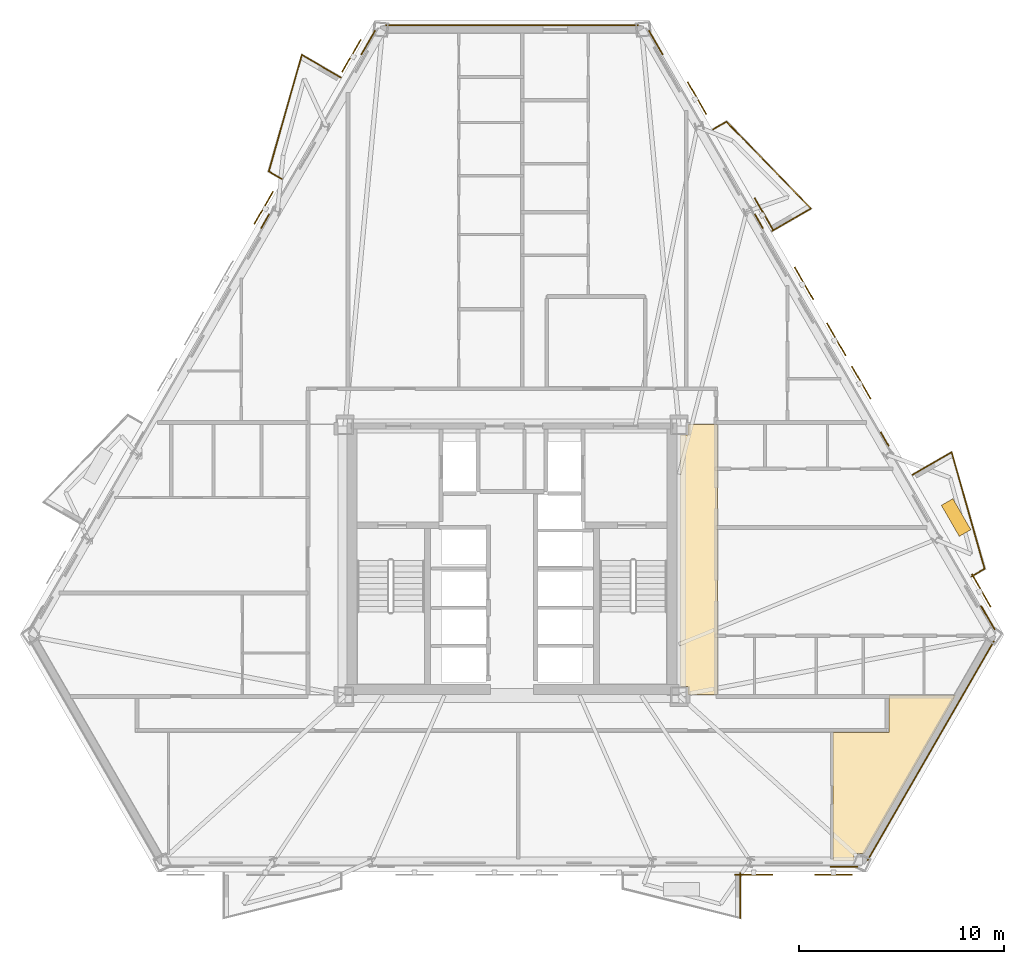
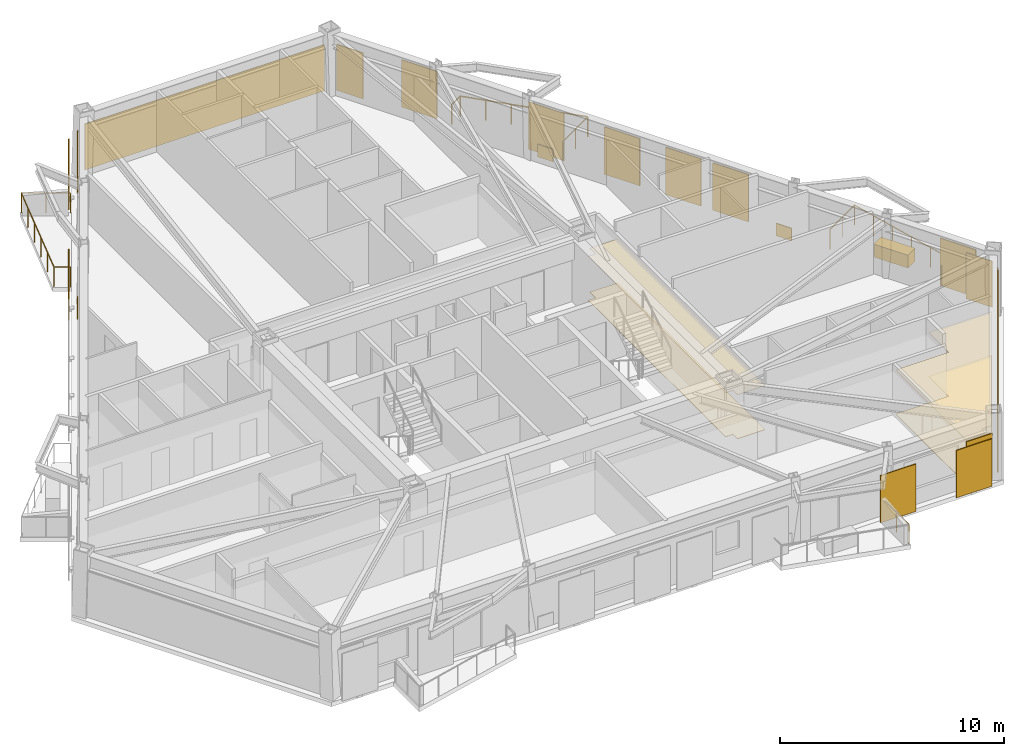
# One storey, part 11 of 11: 14 coverings, 10 railings, 10 shading devices.
"""IFC4 building model written with IfcOpenShell, lengths in metres."""

from ifc_helpers import new_model, si_unit, direction, frame, origin, origin_2d, place, context, subcontext, project, spatial, polyline, rectangle, circle, outline, extrude, material, layer, layer_set, type_object, element, save


model = new_model("IFC4")

# Units and contexts
model_context = context("Model", 3, precision=1e-05, world=origin(), true_north=direction((0.0, 1.0)))
body_context = subcontext(model_context, "Body", "Model", "MODEL_VIEW")
ifc_project = project(units=[si_unit("LENGTHUNIT", "METRE"), si_unit("AREAUNIT", "SQUARE_METRE"), si_unit("VOLUMEUNIT", "CUBIC_METRE"), si_unit("PLANEANGLEUNIT", "RADIAN"), si_unit("MASSUNIT", "GRAM", prefix="KILO")], contexts=[model_context])

# Site, building, storey
site_placement = place(None, origin())
site = spatial("IfcSite", under=ifc_project, at=site_placement, CompositionType="ELEMENT")
building_placement = place(site_placement, origin())
building = spatial("IfcBuilding", under=site, at=building_placement, Name="Oramaril Tower", CompositionType="ELEMENT")
storey_placement = place(building_placement, frame((0.0, 0.0, 82.5)))
storey = spatial("IfcBuildingStorey", under=building, at=storey_placement, Name="L21", CompositionType="ELEMENT", Elevation=82.5)

# Coverings
ifc_material_1 = material(Name="Mineral Fibre Acoustic Ceiling")
ifc_layer_1 = layer(ifc_material_1, 0.02001953125)
ifc_layer_set_1 = layer_set([ifc_layer_1], Name="CVT-CEIL")
covering_type_1 = type_object("IfcCoveringType", Name="CVT-CEIL", PredefinedType="CEILING", material=ifc_layer_set_1)
covering_1_placement = place(storey_placement, frame((0.0, 0.0, 2.39990234375)))
element("IfcCovering", 1, at=covering_1_placement, inside=storey, type_object=covering_type_1, Name="L21 Acoustic Suspended Ceiling 4", PredefinedType="CEILING", context=body_context, shape_type="SweptSolid", body=[
    extrude(outline(polyline([(47.530029296875, 11.050048828125), (46.094970703125, 11.050048828125), (46.094970703125, 11.445068359375), (45.719970703125, 11.445068359375), (45.719970703125, 23.705078125), (46.094970703125, 23.705078125), (46.094970703125, 24.219970703125), (47.530029296875, 24.219970703125), (47.530029296875, 11.050048828125)])), origin(), (0.0, 0.0, 1.0), 0.02001953125),
])
covering_2_placement = place(storey_placement, frame((0.0, 0.0, 2.39990234375)))
element("IfcCovering", 2, at=covering_2_placement, inside=storey, type_object=covering_type_1, Name="L21 Acoustic Suspended Ceiling 9", PredefinedType="CEILING", context=body_context, shape_type="SweptSolid", body=[
    extrude(outline(polyline([(59.136474609375, 10.991943359375), (54.69580078125, 3.30029296875), (54.18408203125, 3.30029296875), (54.18408203125, 2.947265625), (53.171875, 2.947265625), (53.171875, 9.199951171875), (55.8798828125, 9.199951171875), (55.882080078125, 9.2001953125), (55.8837890625, 9.200439453125), (55.8857421875, 9.200927734375), (55.8876953125, 9.201416015625), (55.889404296875, 9.202392578125), (55.89111328125, 9.203369140625), (55.892578125, 9.20458984375), (55.89404296875, 9.205810546875), (55.8955078125, 9.207275390625), (55.896484375, 9.208984375), (55.897705078125, 9.210693359375), (55.8984375, 9.21240234375), (55.899169921875, 9.214111328125), (55.899658203125, 9.216064453125), (55.89990234375, 9.218017578125), (55.89990234375, 9.219970703125), (55.89990234375, 10.991943359375), (59.136474609375, 10.991943359375)])), origin(), (0.0, 0.0, 1.0), 0.02001953125),
])
ifc_material_2 = material(Name="Warm Cream Limestone", Category="masonry")
ifc_layer_2 = layer(ifc_material_2, 0.050048828125)
ifc_layer_set_2 = layer_set([ifc_layer_2], Name="CVT-CLD")
covering_type_2 = type_object("IfcCoveringType", Name="CVT-CLD", PredefinedType="CLADDING", material=ifc_layer_set_2)
covering_3_placement = place(storey_placement, frame((53.7041015625, 2.646240234375, 0.0400390625), z_axis=(0.0, 0.0, 1.0), x_axis=(1.0, 0.0, 0.0)))
element("IfcCovering", 3, at=covering_3_placement, inside=storey, type_object=covering_type_2, Name="L21 Warm Cream Limestone Cladding", PredefinedType="CLADDING", context=body_context, shape_type="SweptSolid", body=[
    extrude(rectangle(XDim=1.35009765625, YDim=0.050048828125, at=origin_2d()), origin(), (0.0, 0.0, 1.0), 2.498046875),
])
covering_4_placement = place(storey_placement, frame((57.931884765625, 8.3037109375, 0.0400390625), z_axis=(0.0, 0.0, 1.0), x_axis=(0.499995465495, 0.866028021766, 0.0)))
element("IfcCovering", 4, at=covering_4_placement, inside=storey, type_object=covering_type_2, Name="L21 Warm Cream Limestone Cladding", PredefinedType="CLADDING", context=body_context, shape_type="SweptSolid", body=[
    extrude(rectangle(XDim=12.34228515625, YDim=0.050048828125, at=origin_2d()), origin(), (0.0, 0.0, 1.0), 2.498046875),
])
for number, where, z_axis, x_axis, name in (
    (5, (60.71728515625, 14.793701171875, 0.0400390625), (0.0, 0.0, 1.0), (-0.5, 0.866025403784, 0.0), "L21 Warm Cream Limestone Cladding"),
    (6, (44.51318359375, 42.860107421875, 0.0400390625), (0.0, 0.0, 1.0), (-0.5, 0.866025403784, 0.0), "L21 Warm Cream Limestone Cladding"),
):
    element("IfcCovering", number, at=place(storey_placement, frame(where, z_axis=z_axis, x_axis=x_axis)), inside=storey, type_object=covering_type_2, Name=name, PredefinedType="CLADDING", context=body_context, shape_type="SweptSolid", body=[
        extrude(rectangle(XDim=1.35009765625, YDim=0.050048828125, at=origin_2d()), origin(), (0.0, 0.0, 1.0), 2.498046875),
    ])
for number, where, z_axis, x_axis, name in (
    (7, (55.68505859375, 23.510009765625, 0.0400390625), (0.0, 0.0, 1.0), (-0.5, 0.866025403784, 0.0), "L21 Warm Cream Limestone Spandrel Cladding"),
    (8, (49.545654296875, 34.143798828125, 0.0400390625), (0.0, 0.0, 1.0), (-0.5, 0.866025403784, 0.0), "L21 Warm Cream Limestone Spandrel Cladding"),
):
    element("IfcCovering", number, at=place(storey_placement, frame(where, z_axis=z_axis, x_axis=x_axis)), inside=storey, type_object=covering_type_2, Name=name, PredefinedType="CLADDING", context=body_context, shape_type="SweptSolid", body=[
        extrude(rectangle(XDim=0.800048828125, YDim=0.050048828125, at=origin_2d()), origin(), (0.0, 0.0, 1.0), 0.679931640625),
    ])
covering_5_placement = place(storey_placement, frame((37.5, 43.692626953125, 0.0400390625), z_axis=(0.0, 0.0, 1.0), x_axis=(-1.0, 0.0, 0.0)))
element("IfcCovering", 9, at=covering_5_placement, inside=storey, type_object=covering_type_2, Name="L21 Warm Cream Limestone Cladding", PredefinedType="CLADDING", context=body_context, shape_type="SweptSolid", body=[
    extrude(rectangle(XDim=12.34228515625, YDim=0.050048828125, at=origin_2d()), origin(), (0.0, 0.0, 1.0), 2.498046875),
])
covering_6_placement = place(storey_placement, frame((30.48681640625, 42.860107421875, 0.0400390625), z_axis=(0.0, 0.0, 1.0), x_axis=(-0.5, -0.866025403784, 0.0)))
element("IfcCovering", 10, at=covering_6_placement, inside=storey, type_object=covering_type_2, Name="L21 Warm Cream Limestone Cladding", PredefinedType="CLADDING", context=body_context, shape_type="SweptSolid", body=[
    extrude(rectangle(XDim=1.35009765625, YDim=0.050048828125, at=origin_2d()), origin(), (0.0, 0.0, 1.0), 2.498046875),
])
covering_7_placement = place(storey_placement, frame((25.454345703125, 34.143798828125, 0.0400390625), z_axis=(0.0, 0.0, 1.0), x_axis=(-0.5, -0.866025403784, 0.0)))
element("IfcCovering", 11, at=covering_7_placement, inside=storey, type_object=covering_type_2, Name="L21 Warm Cream Limestone Spandrel Cladding", PredefinedType="CLADDING", context=body_context, shape_type="SweptSolid", body=[
    extrude(rectangle(XDim=0.800048828125, YDim=0.050048828125, at=origin_2d()), origin(), (0.0, 0.0, 1.0), 0.679931640625),
])
covering_8_placement = place(storey_placement, frame((59.16845703125, 19.68359375, 0.0), z_axis=(0.0, 0.0, 1.0), x_axis=(-0.500001511499, 0.866024531118, 0.0)))
element("IfcCovering", 12, at=covering_8_placement, inside=storey, type_object=covering_type_2, Name="L21 Structural Tree Planter Box L21-BAL-NE1", PredefinedType="CLADDING", context=body_context, shape_type="SweptSolid", body=[
    extrude(rectangle(XDim=1.75, YDim=0.64990234375, at=origin_2d()), origin(), (0.0, 0.0, 1.0), 0.699951171875),
])
ifc_material_3 = material(Name="Honed Quartzite Stone Flooring", Category="masonry")
ifc_layer_3 = layer(ifc_material_3, 0.02490234375)
ifc_layer_set_3 = layer_set([ifc_layer_3], Name="CVT-FLR")
covering_type_3 = type_object("IfcCoveringType", Name="CVT-FLR", PredefinedType="FLOORING", material=ifc_layer_set_3)
covering_9_placement = place(storey_placement, origin())
element("IfcCovering", 13, at=covering_9_placement, inside=storey, type_object=covering_type_3, Name="L21 Honed Stone Floor Finish 4", PredefinedType="FLOORING", context=body_context, shape_type="SweptSolid", body=[
    extrude(outline(polyline([(47.530029296875, 11.050048828125), (46.094970703125, 11.050048828125), (46.094970703125, 11.445068359375), (45.719970703125, 11.445068359375), (45.719970703125, 23.705078125), (46.094970703125, 23.705078125), (46.094970703125, 24.219970703125), (47.530029296875, 24.219970703125), (47.530029296875, 11.050048828125)])), origin(), (0.0, 0.0, 1.0), 0.02490234375),
])
covering_10_placement = place(storey_placement, origin())
element("IfcCovering", 14, at=covering_10_placement, inside=storey, type_object=covering_type_3, Name="L21 Honed Stone Floor Finish 9", PredefinedType="FLOORING", context=body_context, shape_type="SweptSolid", body=[
    extrude(outline(polyline([(59.136474609375, 10.991943359375), (54.69580078125, 3.30029296875), (54.18408203125, 3.30029296875), (54.18408203125, 2.947265625), (53.171875, 2.947265625), (53.171875, 9.199951171875), (55.8798828125, 9.199951171875), (55.882080078125, 9.2001953125), (55.8837890625, 9.200439453125), (55.8857421875, 9.200927734375), (55.8876953125, 9.201416015625), (55.889404296875, 9.202392578125), (55.89111328125, 9.203369140625), (55.892578125, 9.20458984375), (55.89404296875, 9.205810546875), (55.8955078125, 9.207275390625), (55.896484375, 9.208984375), (55.897705078125, 9.210693359375), (55.8984375, 9.21240234375), (55.899169921875, 9.214111328125), (55.899658203125, 9.216064453125), (55.89990234375, 9.218017578125), (55.89990234375, 9.219970703125), (55.89990234375, 10.991943359375), (59.136474609375, 10.991943359375)])), origin(), (0.0, 0.0, 1.0), 0.02490234375),
])

# Railings
ifc_material_4 = material(Name="Stainless Steel 316L", Category="steel")
railing_type = type_object("IfcRailingType", Name="RLT-GRD", PredefinedType="GUARDRAIL", material=ifc_material_4)
railing_1_placement = place(storey_placement, frame((48.634765625, 2.331298828125, 0.0)))
element("IfcRailing", 15, at=railing_1_placement, inside=storey, type_object=railing_type, Name="L21 Balcony Guardrail L21-BAL-S2.1", PredefinedType="GUARDRAIL", context=body_context, shape_type="SweptSolid", body=[
    extrude(circle(Radius=0.02392578125, at=origin_2d()), frame((0.0, 0.0, 1.076171875), z_axis=(0.0, -1.0, 0.0), x_axis=(1.0, 0.0, 0.0)), (0.0, 0.0, 1.0), 2.192138671875),
    extrude(circle(Radius=0.02099609375, at=origin_2d()), origin(), (0.0, 0.0, 1.0), 1.052001953125),
    extrude(circle(Radius=0.02099609375, at=origin_2d()), frame((0.0, -1.09619140625, 0.0)), (0.0, 0.0, 1.0), 1.052001953125),
    extrude(circle(Radius=0.02099609375, at=origin_2d()), frame((0.0, -2.192138671875, 0.0)), (0.0, 0.0, 1.0), 1.052001953125),
])
railing_2_placement = place(storey_placement, frame((57.052978515625, 21.7705078125, 0.0)))
element("IfcRailing", 16, at=railing_2_placement, inside=storey, type_object=railing_type, Name="L21 Balcony Guardrail L21-BAL-NE1.1", PredefinedType="GUARDRAIL", context=body_context, shape_type="SweptSolid", body=[
    extrude(circle(Radius=0.02392578125, at=origin_2d()), frame((0.0, 0.0, 1.076171875), z_axis=(0.866048343933, 0.499960264392, 0.0), x_axis=(-0.499960264392, 0.866048343933, 0.0)), (0.0, 0.0, 1.0), 2.192138671875),
    extrude(circle(Radius=0.02099609375, at=origin_2d()), origin(), (0.0, 0.0, 1.0), 1.052001953125),
    extrude(circle(Radius=0.02099609375, at=origin_2d()), frame((0.94921875, 0.5478515625, 0.0)), (0.0, 0.0, 1.0), 1.052001953125),
    extrude(circle(Radius=0.02099609375, at=origin_2d()), frame((1.8984375, 1.095947265625, 0.0)), (0.0, 0.0, 1.0), 1.052001953125),
])
railing_3_placement = place(storey_placement, frame((58.951416015625, 22.866455078125, 0.0)))
element("IfcRailing", 17, at=railing_3_placement, inside=storey, type_object=railing_type, Name="L21 Balcony Guardrail L21-BAL-NE1.2", PredefinedType="GUARDRAIL", context=body_context, shape_type="SweptSolid", body=[
    extrude(circle(Radius=0.02392578125, at=origin_2d()), frame((0.0, 0.0, 1.076171875), z_axis=(0.27224886544, -0.962226873074, 0.0), x_axis=(0.962226873074, 0.27224886544, 0.0)), (0.0, 0.0, 1.0), 5.910400390625),
    extrude(circle(Radius=0.02099609375, at=origin_2d()), origin(), (0.0, 0.0, 1.0), 1.052001953125),
    extrude(circle(Radius=0.02099609375, at=origin_2d()), frame((0.32177734375, -1.137451171875, 0.0)), (0.0, 0.0, 1.0), 1.052001953125),
    extrude(circle(Radius=0.02099609375, at=origin_2d()), frame((0.6435546875, -2.27490234375, 0.0)), (0.0, 0.0, 1.0), 1.052001953125),
    extrude(circle(Radius=0.02099609375, at=origin_2d()), frame((0.965576171875, -3.412353515625, 0.0)), (0.0, 0.0, 1.0), 1.052001953125),
    extrude(circle(Radius=0.02099609375, at=origin_2d()), frame((1.287353515625, -4.5498046875, 0.0)), (0.0, 0.0, 1.0), 1.052001953125),
    extrude(circle(Radius=0.02099609375, at=origin_2d()), frame((1.609130859375, -5.687255859375, 0.0)), (0.0, 0.0, 1.0), 1.052001953125),
])
railing_4_placement = place(storey_placement, frame((60.560546875, 17.17919921875, 0.0)))
element("IfcRailing", 18, at=railing_4_placement, inside=storey, type_object=railing_type, Name="L21 Balcony Guardrail L21-BAL-NE1.3", PredefinedType="GUARDRAIL", context=body_context, shape_type="SweptSolid", body=[
    extrude(circle(Radius=0.02392578125, at=origin_2d()), frame((0.0, 0.0, 1.076171875), z_axis=(-0.866026623601, -0.49999788721, 0.0), x_axis=(0.49999788721, -0.866026623601, 0.0)), (0.0, 0.0, 1.0), 0.74169921875),
    extrude(circle(Radius=0.02099609375, at=origin_2d()), origin(), (0.0, 0.0, 1.0), 1.052001953125),
    extrude(circle(Radius=0.02099609375, at=origin_2d()), frame((-0.642333984375, -0.370849609375, 0.0)), (0.0, 0.0, 1.0), 1.052001953125),
])
railing_5_placement = place(storey_placement, frame((47.32080078125, 38.627197265625, 0.0)))
element("IfcRailing", 19, at=railing_5_placement, inside=storey, type_object=railing_type, Name="L21 Balcony Guardrail L21-BAL-NE2.1", PredefinedType="GUARDRAIL", context=body_context, shape_type="SweptSolid", body=[
    extrude(circle(Radius=0.02392578125, at=origin_2d()), frame((0.0, 0.0, 1.076171875), z_axis=(0.865966403178, 0.500102178127, 0.0), x_axis=(-0.500102178127, 0.865966403178, 0.0)), (0.0, 0.0, 1.0), 0.741943359375),
    extrude(circle(Radius=0.02099609375, at=origin_2d()), origin(), (0.0, 0.0, 1.0), 1.052001953125),
    extrude(circle(Radius=0.02099609375, at=origin_2d()), frame((0.642578125, 0.37109375, 0.0)), (0.0, 0.0, 1.0), 1.052001953125),
])
railing_6_placement = place(storey_placement, frame((47.96337890625, 38.998291015625, 0.0)))
element("IfcRailing", 20, at=railing_6_placement, inside=storey, type_object=railing_type, Name="L21 Balcony Guardrail L21-BAL-NE2.2", PredefinedType="GUARDRAIL", context=body_context, shape_type="SweptSolid", body=[
    extrude(circle(Radius=0.02392578125, at=origin_2d()), frame((0.0, 0.0, 1.076171875), z_axis=(0.697165686546, -0.716910040034, 0.0), x_axis=(0.716910040034, 0.697165686546, 0.0)), (0.0, 0.0, 1.0), 5.910400390625),
    extrude(circle(Radius=0.02099609375, at=origin_2d()), origin(), (0.0, 0.0, 1.0), 1.052001953125),
    extrude(circle(Radius=0.02099609375, at=origin_2d()), frame((0.82421875, -0.847412109375, 0.0)), (0.0, 0.0, 1.0), 1.052001953125),
    extrude(circle(Radius=0.02099609375, at=origin_2d()), frame((1.648193359375, -1.69482421875, 0.0)), (0.0, 0.0, 1.0), 1.052001953125),
    extrude(circle(Radius=0.02099609375, at=origin_2d()), frame((2.472412109375, -2.54248046875, 0.0)), (0.0, 0.0, 1.0), 1.052001953125),
    extrude(circle(Radius=0.02099609375, at=origin_2d()), frame((3.29638671875, -3.389892578125, 0.0)), (0.0, 0.0, 1.0), 1.052001953125),
    extrude(circle(Radius=0.02099609375, at=origin_2d()), frame((4.12060546875, -4.2373046875, 0.0)), (0.0, 0.0, 1.0), 1.052001953125),
])
railing_7_placement = place(storey_placement, frame((52.083984375, 34.760986328125, 0.0)))
element("IfcRailing", 21, at=railing_7_placement, inside=storey, type_object=railing_type, Name="L21 Balcony Guardrail L21-BAL-NE2.3", PredefinedType="GUARDRAIL", context=body_context, shape_type="SweptSolid", body=[
    extrude(circle(Radius=0.02392578125, at=origin_2d()), frame((0.0, 0.0, 1.076171875), z_axis=(-0.866020500697, -0.5000084923, 0.0), x_axis=(0.5000084923, -0.866020500697, 0.0)), (0.0, 0.0, 1.0), 2.19189453125),
    extrude(circle(Radius=0.02099609375, at=origin_2d()), origin(), (0.0, 0.0, 1.0), 1.052001953125),
    extrude(circle(Radius=0.02099609375, at=origin_2d()), frame((-0.94921875, -0.5478515625, 0.0)), (0.0, 0.0, 1.0), 1.052001953125),
    extrude(circle(Radius=0.02099609375, at=origin_2d()), frame((-1.898193359375, -1.095947265625, 0.0)), (0.0, 0.0, 1.0), 1.052001953125),
])
railing_8_placement = place(storey_placement, frame((26.276611328125, 36.1982421875, 0.0)))
element("IfcRailing", 22, at=railing_8_placement, inside=storey, type_object=railing_type, Name="L21 Balcony Guardrail L21-BAL-NW1.1", PredefinedType="GUARDRAIL", context=body_context, shape_type="SweptSolid", body=[
    extrude(circle(Radius=0.02392578125, at=origin_2d()), frame((0.0, 0.0, 1.076171875), z_axis=(-0.866026623601, 0.49999788721, 0.0), x_axis=(-0.49999788721, -0.866026623601, 0.0)), (0.0, 0.0, 1.0), 0.74169921875),
    extrude(circle(Radius=0.02099609375, at=origin_2d()), origin(), (0.0, 0.0, 1.0), 1.052001953125),
    extrude(circle(Radius=0.02099609375, at=origin_2d()), frame((-0.642333984375, 0.370849609375, 0.0)), (0.0, 0.0, 1.0), 1.052001953125),
])
railing_9_placement = place(storey_placement, frame((25.63427734375, 36.569091796875, 0.0)))
element("IfcRailing", 23, at=railing_9_placement, inside=storey, type_object=railing_type, Name="L21 Balcony Guardrail L21-BAL-NW1.2", PredefinedType="GUARDRAIL", context=body_context, shape_type="SweptSolid", body=[
    extrude(circle(Radius=0.02392578125, at=origin_2d()), frame((0.0, 0.0, 1.076171875), z_axis=(0.27224886544, 0.962226873074, 0.0), x_axis=(-0.962226873074, 0.27224886544, 0.0)), (0.0, 0.0, 1.0), 5.910400390625),
    extrude(circle(Radius=0.02099609375, at=origin_2d()), origin(), (0.0, 0.0, 1.0), 1.052001953125),
    extrude(circle(Radius=0.02099609375, at=origin_2d()), frame((0.32177734375, 1.137451171875, 0.0)), (0.0, 0.0, 1.0), 1.052001953125),
    extrude(circle(Radius=0.02099609375, at=origin_2d()), frame((0.6435546875, 2.27490234375, 0.0)), (0.0, 0.0, 1.0), 1.052001953125),
    extrude(circle(Radius=0.02099609375, at=origin_2d()), frame((0.965576171875, 3.412353515625, 0.0)), (0.0, 0.0, 1.0), 1.052001953125),
    extrude(circle(Radius=0.02099609375, at=origin_2d()), frame((1.287353515625, 4.5498046875, 0.0)), (0.0, 0.0, 1.0), 1.052001953125),
    extrude(circle(Radius=0.02099609375, at=origin_2d()), frame((1.609130859375, 5.687255859375, 0.0)), (0.0, 0.0, 1.0), 1.052001953125),
])
railing_10_placement = place(storey_placement, frame((27.243408203125, 42.25634765625, 0.0)))
element("IfcRailing", 24, at=railing_10_placement, inside=storey, type_object=railing_type, Name="L21 Balcony Guardrail L21-BAL-NW1.3", PredefinedType="GUARDRAIL", context=body_context, shape_type="SweptSolid", body=[
    extrude(circle(Radius=0.02392578125, at=origin_2d()), frame((0.0, 0.0, 1.076171875), z_axis=(0.866020500697, -0.5000084923, 0.0), x_axis=(0.5000084923, 0.866020500697, 0.0)), (0.0, 0.0, 1.0), 2.19189453125),
    extrude(circle(Radius=0.02099609375, at=origin_2d()), origin(), (0.0, 0.0, 1.0), 1.052001953125),
    extrude(circle(Radius=0.02099609375, at=origin_2d()), frame((0.94921875, -0.5478515625, 0.0)), (0.0, 0.0, 1.0), 1.052001953125),
    extrude(circle(Radius=0.02099609375, at=origin_2d()), frame((1.898193359375, -1.095947265625, 0.0)), (0.0, 0.0, 1.0), 1.052001953125),
])

# Shading devices
for number, where, z_axis, x_axis, name in (
    (25, (49.297119140625, 2.25927734375, -0.02001953125), (0.0, 0.0, 1.0), (1.0, 0.0, 0.0), "L21 Perforated Ceramic Solar Screen"),
    (26, (53.197265625, 2.25927734375, -0.02001953125), (0.0, 0.0, 1.0), (1.0, 0.0, 0.0), "L21 Perforated Ceramic Solar Screen"),
    (27, (60.3974609375, 16.1220703125, -0.02001953125), (0.0, 0.0, 1.0), (-0.5, 0.866025403784, 0.0), "L21 Perforated Ceramic Solar Screen"),
    (28, (46.526123046875, 40.1474609375, -0.02001953125), (0.0, 0.0, 1.0), (-0.5, 0.866025403784, 0.0), "L21 Perforated Ceramic Solar Screen"),
    (29, (51.746337890625, 31.10595703125, -0.02001953125), (0.0, 0.0, 1.0), (-0.5, 0.866025403784, 0.0), "L21 Perforated Ceramic Solar Screen"),
    (30, (49.79638671875, 34.4833984375, -0.02001953125), (0.0, 0.0, 1.0), (-0.5, 0.866025403784, 0.0), "L21 Perforated Ceramic Solar Screen"),
    (31, (54.5419921875, 26.263916015625, -0.02001953125), (0.0, 0.0, 1.0), (-0.5, 0.866025403784, 0.0), "L21 Perforated Ceramic Solar Screen"),
    (32, (53.322265625, 28.37646484375, -0.02001953125), (0.0, 0.0, 1.0), (-0.5, 0.866025403784, 0.0), "L21 Perforated Ceramic Solar Screen"),
    (33, (25.383544921875, 34.795166015625, -0.02001953125), (0.0, 0.0, 1.0), (-0.5, -0.866025403784, 0.0), "L21 Perforated Ceramic Solar Screen"),
    (34, (29.66650390625, 42.213134765625, -0.02001953125), (0.0, 0.0, 1.0), (-0.5, -0.866025403784, 0.0), "L21 Perforated Ceramic Solar Screen"),
):
    element("IfcShadingDevice", number, at=place(storey_placement, frame(where, z_axis=z_axis, x_axis=x_axis)), inside=storey, Name=name, ObjectType="SCREEN", PredefinedType="USERDEFINED", context=body_context, shape_type="SweptSolid", body=[
        extrude(rectangle(XDim=1.8330078125, YDim=0.050048828125, at=origin_2d()), origin(), (0.0, 0.0, 1.0), 2.577880859375),
    ])

save(model, "model.ifc")
